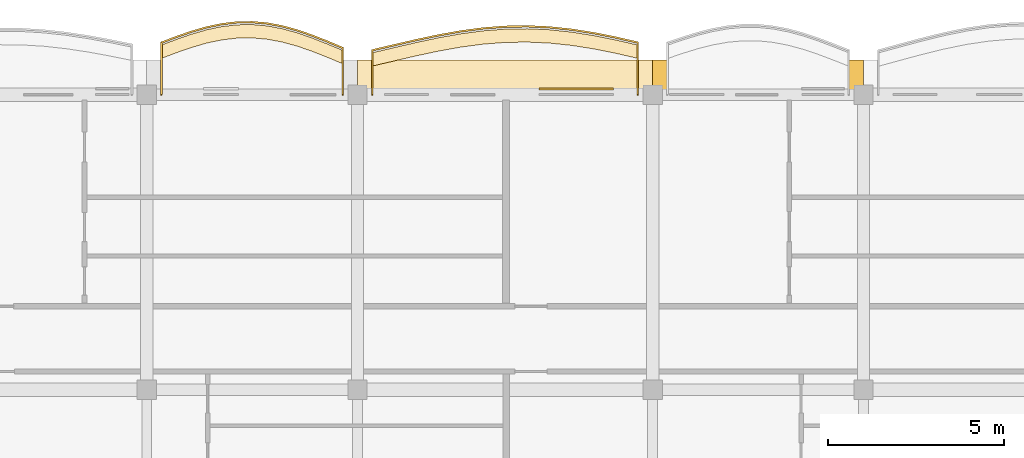
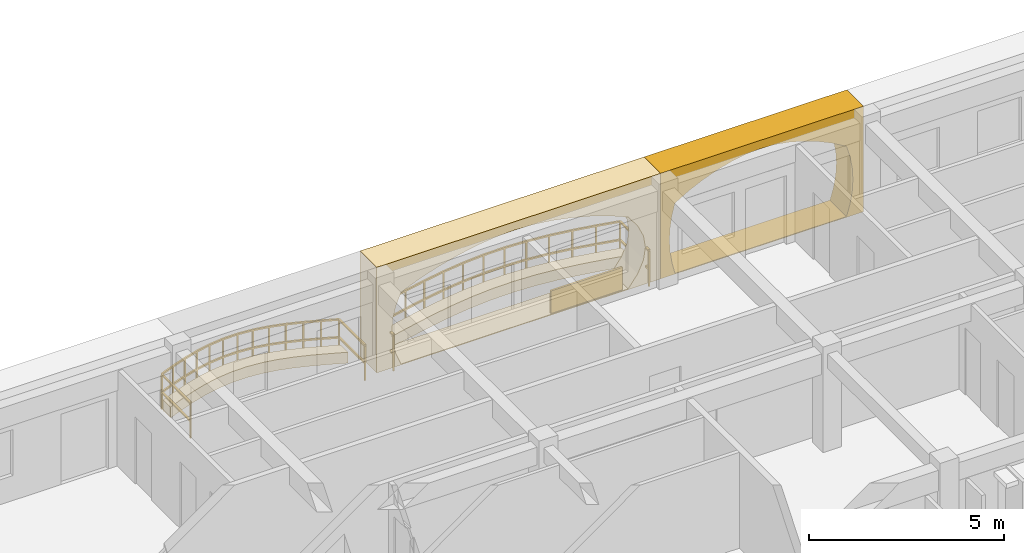
# One storey, part 60 of 68: 5 coverings, 2 railings.
"""IFC4 building model written with IfcOpenShell, lengths in metres."""

import ifcopenshell
import ifcopenshell.guid

model = None  # the IFC model being written
_history = None  # IfcOwnerHistory: only IFC2X3 demands one
_inside = {}  # id of a spatial element -> (the spatial element, [elements in it])
_under = {}  # id of a project, library or spatial element -> (it, [spatial elements below it])
_declared = {}  # id of a project -> (the project, [libraries it declares])
_typed = {}  # id of a type object -> (the type object, [elements of that type])
_made_of = {}  # id of a material, layer set ... -> (it, [elements and type objects made of it])


def new_model(schema):
    """Start an empty IFC model of exactly this schema.

    Asked for "IFC4X3", IfcOpenShell would pick the latest addendum, in which some entities
    have other attributes; the version numbers below select the first issue.
    IFC2X3 requires an IfcOwnerHistory on every rooted entity: one is made here for all.
    """
    global model, _history
    if schema == "IFC4X3":
        model = ifcopenshell.file(schema_version=(4, 3, 0, 0))
    else:
        model = ifcopenshell.file(schema=schema)
    _inside.clear()
    _under.clear()
    _declared.clear()
    _typed.clear()
    _made_of.clear()
    _history = None
    if model.schema == "IFC2X3":
        org = make("IfcOrganization", Name="unknown")
        user = make(
            "IfcPersonAndOrganization",
            ThePerson=make("IfcPerson", FamilyName="unknown"),
            TheOrganization=org,
        )
        app = make(
            "IfcApplication",
            ApplicationDeveloper=org,
            Version="unknown",
            ApplicationFullName="unknown",
            ApplicationIdentifier="unknown",
        )
        _history = make(
            "IfcOwnerHistory",
            OwningUser=user,
            OwningApplication=app,
            ChangeAction="ADDED",
            CreationDate=0,
        )
    return model


def make(cls, **values):
    """One entity of the class cls with the attributes given. An attribute that is None is left unset."""
    return model.create_entity(
        cls, **{name: value for name, value in values.items() if value is not None}
    )


def rooted(cls, **values):
    """An entity with a GlobalId (a new one), such as an element, a storey or a relation."""
    return make(cls, GlobalId=ifcopenshell.guid.new(), OwnerHistory=_history, **values)


def si_unit(unit_type, name, prefix=None):
    """IfcSIUnit, for example si_unit("LENGTHUNIT", "METRE", prefix="MILLI")."""
    return make("IfcSIUnit", UnitType=unit_type, Prefix=prefix, Name=name)


def assignment(units):
    """IfcUnitAssignment: the units of a project."""
    return None if units is None else make("IfcUnitAssignment", Units=units)


def point(xyz):
    """IfcCartesianPoint."""
    return None if xyz is None else make("IfcCartesianPoint", Coordinates=xyz)


def direction(xyz):
    """IfcDirection."""
    return None if xyz is None else make("IfcDirection", DirectionRatios=xyz)


def frame(location, z_axis=None, x_axis=None):
    """IfcAxis2Placement3D, a coordinate frame: its origin and axes. An axis left out is left unset."""
    return make(
        "IfcAxis2Placement3D",
        Location=point(location),
        Axis=direction(z_axis),
        RefDirection=direction(x_axis),
    )


def frame_2d(location, x_axis=None):
    """IfcAxis2Placement2D, a coordinate frame in the plane: its origin and x axis."""
    return make(
        "IfcAxis2Placement2D", Location=point(location), RefDirection=direction(x_axis)
    )


def origin():
    """The frame at (0, 0, 0) with its axes left unset."""
    return frame((0.0, 0.0, 0.0))


def origin_2d():
    """The frame at (0, 0) in the plane with its x axis left unset."""
    return frame_2d((0.0, 0.0))


def place(relative_to, where):
    """IfcLocalPlacement: puts the frame where relative to a parent placement (None: the world)."""
    return make(
        "IfcLocalPlacement", PlacementRelTo=relative_to, RelativePlacement=where
    )


def context(
    kind, dimensions, precision=None, world=None, true_north=None, identifier=None
):
    """IfcGeometricRepresentationContext, for example the 3D "Model" context."""
    return make(
        "IfcGeometricRepresentationContext",
        ContextIdentifier=identifier,
        ContextType=kind,
        CoordinateSpaceDimension=dimensions,
        Precision=precision,
        WorldCoordinateSystem=world,
        TrueNorth=true_north,
    )


def subcontext(parent, identifier, kind, view, scale=None):
    """IfcGeometricRepresentationSubContext, for example "Body" below "Model"."""
    return make(
        "IfcGeometricRepresentationSubContext",
        ContextIdentifier=identifier,
        ContextType=kind,
        ParentContext=parent,
        TargetScale=scale,
        TargetView=view,
    )


def project(units=None, contexts=None):
    """IfcProject with its units and contexts."""
    return rooted(
        "IfcProject",
        Name="project",
        RepresentationContexts=contexts,
        UnitsInContext=assignment(units),
    )


def spatial(cls, under=None, at=None, **own):
    """A site, building, storey or space (cls), placed at a placement, below another one or the project."""
    s = rooted(cls, ObjectPlacement=at, **own)
    if under is not None:
        _under.setdefault(under.id(), (under, []))[1].append(s)
    return s


def polyline(points):
    """IfcPolyline through the points."""
    return make("IfcPolyline", Points=[point(p) for p in points])


def profile(cls, at=None, kind="AREA", **sizes):
    """A parametric profile (cls). Its sizes go by their IFC names, for example OverallWidth=200.0."""
    return make(cls, ProfileType=kind, Position=at, **sizes)


def rectangle(**sizes):
    """IfcRectangleProfileDef."""
    return profile("IfcRectangleProfileDef", **sizes)


def outline(outer, holes=None, kind="AREA"):
    """IfcArbitraryClosedProfileDef: a profile drawn as a closed curve; with holes, ...WithVoids."""
    if holes is None:
        return make("IfcArbitraryClosedProfileDef", ProfileType=kind, OuterCurve=outer)
    return make(
        "IfcArbitraryProfileDefWithVoids",
        ProfileType=kind,
        OuterCurve=outer,
        InnerCurves=holes,
    )


def extrude(swept, where, along, depth):
    """IfcExtrudedAreaSolid: the profile swept, set in the frame where, extruded along a direction by depth."""
    return make(
        "IfcExtrudedAreaSolid",
        SweptArea=swept,
        Position=where,
        ExtrudedDirection=direction(along),
        Depth=depth,
    )


def shape(context_of_items, identifier, shape_type, items):
    """IfcShapeRepresentation: the items that make up one representation, for example the "Body"."""
    return make(
        "IfcShapeRepresentation",
        ContextOfItems=context_of_items,
        RepresentationIdentifier=identifier,
        RepresentationType=shape_type,
        Items=items,
    )


def material(Name=None, Category=None):
    """IfcMaterial."""
    return make("IfcMaterial", Name=Name, Category=Category)


def layer(
    of_material, thickness, ventilated=None, Name=None, Category=None, Priority=None
):
    """IfcMaterialLayer: one layer of a wall or slab, of a material (None: an air gap)."""
    return make(
        "IfcMaterialLayer",
        Material=of_material,
        LayerThickness=thickness,
        IsVentilated=ventilated,
        Name=Name,
        Category=Category,
        Priority=Priority,
    )


def layer_set(layers, Name=None):
    """IfcMaterialLayerSet."""
    return make("IfcMaterialLayerSet", MaterialLayers=layers, LayerSetName=Name)


def made_of(thing, what):
    """Note that an element or type object is made of a material, layer set ...; save() writes the relation."""
    if what is not None:
        _made_of.setdefault(what.id(), (what, []))[1].append(thing)
    return thing


def type_object(cls, material=None, **own):
    """A type object (cls), such as IfcWallType, which elements share."""
    return made_of(rooted(cls, **own), material)


def element(
    cls,
    number,
    at=None,
    inside=None,
    cuts=None,
    type_object=None,
    material=None,
    context=None,
    identifier="Body",
    shape_type=None,
    held_by="IfcProductDefinitionShape",
    body=None,
    shapes=None,
    **own,
):
    """One element of the class cls, such as IfcWall. Its Tag is "e" and its number.

    at: its placement. inside: the storey or other place that contains it. cuts: it is an
    opening in that element (IfcRelVoidsElement). A single representation is given by context,
    identifier, shape_type and body (its items); several are given by shapes. held_by: the class
    of the entity that holds the representations. save() writes the other relations.
    """
    e = rooted(cls, Tag="e%d" % number, ObjectPlacement=at, **own)
    if body is not None:
        shapes = [shape(context, identifier, shape_type, body)]
    if shapes is not None:
        e.Representation = make(held_by, Representations=shapes)
    if inside is not None:
        _inside.setdefault(inside.id(), (inside, []))[1].append(e)
    if cuts is not None:
        rooted(
            "IfcRelVoidsElement", RelatingBuildingElement=cuts, RelatedOpeningElement=e
        )
    if type_object is not None:
        _typed.setdefault(type_object.id(), (type_object, []))[1].append(e)
    return made_of(e, material)


def aggregate(whole, parts):
    """IfcRelAggregates: a whole, such as a stair, and the parts it consists of."""
    return rooted("IfcRelAggregates", RelatingObject=whole, RelatedObjects=parts)


def save(model, path):
    """Write the relations noted so far, then the file.

    IfcRelAggregates (storeys below a building ...), IfcRelContainedInSpatialStructure (elements
    in a storey), IfcRelDefinesByType, IfcRelAssociatesMaterial and IfcRelDeclares: one each for
    every whole, place, type object, material and project.
    """
    for whole, parts in _under.values():
        aggregate(whole, parts)
    for where, things in _inside.values():
        rooted(
            "IfcRelContainedInSpatialStructure",
            RelatedElements=things,
            RelatingStructure=where,
        )
    for kind, things in _typed.values():
        rooted("IfcRelDefinesByType", RelatedObjects=things, RelatingType=kind)
    for what, things in _made_of.values():
        rooted("IfcRelAssociatesMaterial", RelatedObjects=things, RelatingMaterial=what)
    for by, libraries in _declared.values():
        rooted("IfcRelDeclares", RelatingContext=by, RelatedDefinitions=libraries)
    model.write(path)


model = new_model("IFC4")

# Units and contexts
model_context = context("Model", 3, precision=1e-05, world=origin(), true_north=direction((0.0, 1.0)))
body_context = subcontext(model_context, "Body", "Model", "MODEL_VIEW")
ifc_project = project(units=[si_unit("LENGTHUNIT", "METRE"), si_unit("AREAUNIT", "SQUARE_METRE"), si_unit("VOLUMEUNIT", "CUBIC_METRE"), si_unit("PLANEANGLEUNIT", "RADIAN"), si_unit("MASSUNIT", "GRAM", prefix="KILO"), si_unit("THERMODYNAMICTEMPERATUREUNIT", "KELVIN")], contexts=[model_context])

# Site, building, storey
site_placement = place(None, origin())
site = spatial("IfcSite", under=ifc_project, at=site_placement, CompositionType="ELEMENT")
building_placement = place(site_placement, origin())
building = spatial("IfcBuilding", under=site, at=building_placement, Name="Thalorik Housing Commons", CompositionType="ELEMENT")
storey_placement = place(building_placement, frame((0.0, 0.0, 24.60009765625)))
storey = spatial("IfcBuildingStorey", under=building, at=storey_placement, Name="L07", CompositionType="ELEMENT", Elevation=24.60009765625)

# Coverings
ifc_material_1 = material(Name="Cobalt blue glazed ceramic facade tile panel", Category="masonry")
ifc_layer_1 = layer(ifc_material_1, 0.06005859375, Name="Cobalt blue glazed ceramic facade tile panel", Category="masonry")
ifc_layer_set_1 = layer_set([ifc_layer_1], Name="Cobalt blue glazed ceramic facade tile panel")
covering_type_1 = type_object("IfcCoveringType", Name="ARC-CLD-BLU-60", PredefinedType="CLADDING", material=ifc_layer_set_1)
covering_1_placement = place(storey_placement, frame((121.419921875, 123.764892578125, 0.0498046875), z_axis=(0.0, 0.0, 1.0), x_axis=(-1.0, 0.0, 0.0)))
element("IfcCovering", 1, at=covering_1_placement, inside=storey, type_object=covering_type_1, Name="L07 De Stijl Recessed Window Spandrel 2568", PredefinedType="CLADDING", context=body_context, shape_type="SweptSolid", body=[
    extrude(rectangle(XDim=2.1201171875, YDim=0.06005859375, at=origin_2d()), origin(), (0.0, 0.0, 1.0), 0.699951171875),
])
ifc_material_2 = material(Name="Precast concrete C40/50", Category="concrete")
ifc_layer_2 = layer(ifc_material_2, 0.85009765625, Name="Precast concrete C40/50", Category="concrete")
ifc_layer_set_2 = layer_set([ifc_layer_2], Name="Precast concrete C40/50")
covering_type_2 = type_object("IfcCoveringType", Name="ARC-CLD-CUSH-850", PredefinedType="CLADDING", material=ifc_layer_set_2)
covering_2_placement = place(storey_placement, frame((126.60009765625, 124.155029296875, 0.0), z_axis=(0.0, 0.0, 1.0), x_axis=(-1.0, 0.0, 0.0)))
element("IfcCovering", 2, at=covering_2_placement, inside=storey, type_object=covering_type_2, Name="L07 White Precast Curved Cushion Bay Frame 2565", PredefinedType="CLADDING", context=body_context, shape_type="SweptSolid", body=[
    extrude(outline(polyline([(-3.0, 0.0), (3.0, 0.0), (3.0, 3.300048828125), (-3.0, 3.300048828125), (-3.0, 0.0)]), holes=[polyline([(2.575439453125, 0.02490234375), (2.6650390625, 0.390869140625), (2.71875, 0.756591796875), (2.73681640625, 1.12255859375), (2.71875, 1.48828125), (2.6650390625, 1.854248046875), (2.575439453125, 2.219970703125), (2.152587890625, 2.469482421875), (1.7294921875, 2.66552734375), (1.306640625, 2.824462890625), (0.8837890625, 2.9423828125), (0.460693359375, 3.015380859375), (0.037841796875, 3.0400390625), (-0.385009765625, 3.015380859375), (-0.807861328125, 2.9423828125), (-1.23095703125, 2.824462890625), (-1.65380859375, 2.66552734375), (-2.07666015625, 2.469482421875), (-2.49951171875, 2.219970703125), (-2.605224609375, 1.854248046875), (-2.668701171875, 1.48828125), (-2.689697265625, 1.12255859375), (-2.668701171875, 0.756591796875), (-2.605224609375, 0.390869140625), (-2.49951171875, 0.02490234375), (2.575439453125, 0.02490234375)])]), frame((0.0, 0.425048828125, 0.0), z_axis=(0.0, -1.0, 0.0), x_axis=(1.0, 0.0, 0.0)), (0.0, 0.0, 1.0), 0.85009765625),
])
covering_3_placement = place(storey_placement, frame((119.39990234375, 124.155029296875, 0.0), z_axis=(0.0, 0.0, 1.0), x_axis=(-1.0, 0.0, 0.0)))
element("IfcCovering", 3, at=covering_3_placement, inside=storey, type_object=covering_type_2, Name="L07 White Precast Curved Cushion Bay Frame 2567", PredefinedType="CLADDING", context=body_context, shape_type="SweptSolid", body=[
    extrude(outline(polyline([(-4.199951171875, 0.0), (4.199951171875, 0.0), (4.199951171875, 3.300048828125), (-4.199951171875, 3.300048828125), (-4.199951171875, 0.0)]), holes=[polyline([(3.47998046875, 0.02490234375), (3.632080078125, 0.399169921875), (3.72314453125, 0.773193359375), (3.753662109375, 1.1474609375), (3.72314453125, 1.521728515625), (3.632080078125, 1.895751953125), (3.47998046875, 2.27001953125), (2.919921875, 2.50439453125), (2.360107421875, 2.6884765625), (1.800048828125, 2.837646484375), (1.239990234375, 2.948486328125), (0.679931640625, 3.016845703125), (0.1201171875, 3.0400390625), (-0.43994140625, 3.016845703125), (-1.0, 2.948486328125), (-1.56005859375, 2.837646484375), (-2.1201171875, 2.6884765625), (-2.679931640625, 2.50439453125), (-3.239990234375, 2.27001953125), (-3.523193359375, 1.895751953125), (-3.693359375, 1.521728515625), (-3.75, 1.1474609375), (-3.693359375, 0.773193359375), (-3.523193359375, 0.399169921875), (-3.239990234375, 0.02490234375), (3.47998046875, 0.02490234375)])]), frame((0.0, 0.425048828125, 0.0), z_axis=(0.0, -1.0, 0.0), x_axis=(1.0, 0.0, 0.0)), (0.0, 0.0, 1.0), 0.85009765625),
])
ifc_material_3 = material(Name="Planted vegetated substrate and terracotta trough", Category="masonry")
ifc_layer_3 = layer(ifc_material_3, 0.340087890625, Name="Planted vegetated substrate and terracotta trough", Category="masonry")
ifc_layer_set_3 = layer_set([ifc_layer_3], Name="Planted vegetated substrate and terracotta trough")
covering_type_3 = type_object("IfcCoveringType", Name="ARC-COV-PLANTER", PredefinedType="USERDEFINED", material=ifc_layer_set_3)
covering_4_placement = place(storey_placement, origin())
element("IfcCovering", 4, at=covering_4_placement, inside=storey, type_object=covering_type_3, Name="L07 Balcony Slab-Edge Planted Trough 5506", ObjectType="PLANTER", PredefinedType="USERDEFINED", context=body_context, shape_type="SweptSolid", body=[
    extrude(outline(polyline([(114.780029296875, 124.859375), (114.35009765625, 125.039306640625), (113.919921875, 125.209228515625), (113.489990234375, 125.35791015625), (113.06005859375, 125.4765625), (112.6298828125, 125.55712890625), (112.199951171875, 125.59521484375), (111.77001953125, 125.58837890625), (111.340087890625, 125.5380859375), (110.909912109375, 125.44775390625), (110.47998046875, 125.323974609375), (110.050048828125, 125.175048828125), (109.6201171875, 125.01123046875), (109.6201171875, 124.631103515625), (110.050048828125, 124.794921875), (110.47998046875, 124.94384765625), (110.909912109375, 125.06787109375), (111.340087890625, 125.158203125), (111.77001953125, 125.20849609375), (112.199951171875, 125.215087890625), (112.6298828125, 125.177001953125), (113.06005859375, 125.096435546875), (113.489990234375, 124.97802734375), (113.919921875, 124.8291015625), (114.35009765625, 124.6591796875), (114.780029296875, 124.479248046875), (114.780029296875, 124.859375)])), origin(), (0.0, 0.0, 1.0), 0.33984375),
])
covering_5_placement = place(storey_placement, origin())
element("IfcCovering", 5, at=covering_5_placement, inside=storey, type_object=covering_type_3, Name="L07 Balcony Slab-Edge Planted Trough 5507", ObjectType="PLANTER", PredefinedType="USERDEFINED", context=body_context, shape_type="SweptSolid", body=[
    extrude(outline(polyline([(123.179931640625, 125.01220703125), (122.550048828125, 125.15625), (121.919921875, 125.2822265625), (121.2900390625, 125.381591796875), (120.659912109375, 125.447509765625), (120.030029296875, 125.476318359375), (119.39990234375, 125.465576171875), (118.77001953125, 125.41650390625), (118.139892578125, 125.332763671875), (117.510009765625, 125.22021484375), (116.8798828125, 125.08642578125), (116.25, 124.940673828125), (115.6201171875, 124.79296875), (115.6201171875, 124.4130859375), (116.25, 124.560791015625), (116.8798828125, 124.706298828125), (117.510009765625, 124.840087890625), (118.139892578125, 124.95263671875), (118.77001953125, 125.03662109375), (119.39990234375, 125.08544921875), (120.030029296875, 125.09619140625), (120.659912109375, 125.067626953125), (121.2900390625, 125.001708984375), (121.919921875, 124.90234375), (122.550048828125, 124.7763671875), (123.179931640625, 124.632080078125), (123.179931640625, 125.01220703125)])), origin(), (0.0, 0.0, 1.0), 0.33984375),
])

# Railings
ifc_material_4 = material(Name="Steel S355", Category="steel")
railing_type_1 = type_object("IfcRailingType", Name="ARC-RL-BAL-112", PredefinedType="BALUSTRADE", material=ifc_material_4)
railing_1_placement = place(storey_placement, frame((114.780029296875, 123.60009765625, 0.0)))
element("IfcRailing", 6, at=railing_1_placement, inside=storey, type_object=railing_type_1, Name="L07 Cushion Balcony Guardrail 190", PredefinedType="BALUSTRADE", context=body_context, shape_type="SweptSolid", body=[
    extrude(rectangle(XDim=0.050048828125, YDim=0.050048828125, at=origin_2d()), frame((0.0, 0.0, 1.09521484375), z_axis=(0.0, 1.0, 0.0), x_axis=(-1.0, 0.0, 0.0)), (0.0, 0.0, 1.0), 1.3291015625),
    extrude(rectangle(XDim=0.050048828125, YDim=0.050048828125, at=origin_2d()), frame((0.0, 0.0, 0.53515625), z_axis=(0.0, 1.0, 0.0), x_axis=(-1.0, 0.0, 0.0)), (0.0, 0.0, 1.0), 1.3291015625),
    extrude(rectangle(XDim=0.050048828125, YDim=0.050048828125, at=origin_2d()), frame((0.0, 1.3291015625, 1.09521484375), z_axis=(-0.922284734459, 0.386511149365, 0.0), x_axis=(-0.386511149365, -0.922284734459, 0.0)), (0.0, 0.0, 1.0), 0.466064453125),
    extrude(rectangle(XDim=0.050048828125, YDim=0.050048828125, at=origin_2d()), frame((0.0, 1.3291015625, 0.53515625), z_axis=(-0.922284734459, 0.386511149365, 0.0), x_axis=(-0.386511149365, -0.922284734459, 0.0)), (0.0, 0.0, 1.0), 0.466064453125),
    extrude(rectangle(XDim=0.050048828125, YDim=0.050048828125, at=origin_2d()), frame((-0.429931640625, 1.50927734375, 1.09521484375), z_axis=(-0.930069804199, 0.367382851148, 0.0), x_axis=(-0.367382851148, -0.930069804199, 0.0)), (0.0, 0.0, 1.0), 0.46240234375),
    extrude(rectangle(XDim=0.050048828125, YDim=0.050048828125, at=origin_2d()), frame((-0.429931640625, 1.50927734375, 0.53515625), z_axis=(-0.930069804199, 0.367382851148, 0.0), x_axis=(-0.367382851148, -0.930069804199, 0.0)), (0.0, 0.0, 1.0), 0.46240234375),
    extrude(rectangle(XDim=0.050048828125, YDim=0.050048828125, at=origin_2d()), frame((-0.860107421875, 1.67919921875, 1.09521484375), z_axis=(-0.945081740918, 0.326834060317, 0.0), x_axis=(-0.326834060317, -0.945081740918, 0.0)), (0.0, 0.0, 1.0), 0.454833984375),
    extrude(rectangle(XDim=0.050048828125, YDim=0.050048828125, at=origin_2d()), frame((-0.860107421875, 1.67919921875, 0.53515625), z_axis=(-0.945081740918, 0.326834060317, 0.0), x_axis=(-0.326834060317, -0.945081740918, 0.0)), (0.0, 0.0, 1.0), 0.454833984375),
    extrude(rectangle(XDim=0.050048828125, YDim=0.050048828125, at=origin_2d()), frame((-1.2900390625, 1.827880859375, 1.09521484375), z_axis=(-0.964103843637, 0.265525476527, 0.0), x_axis=(-0.265525476527, -0.964103843637, 0.0)), (0.0, 0.0, 1.0), 0.446044921875),
    extrude(rectangle(XDim=0.050048828125, YDim=0.050048828125, at=origin_2d()), frame((-1.2900390625, 1.827880859375, 0.53515625), z_axis=(-0.964103843637, 0.265525476527, 0.0), x_axis=(-0.265525476527, -0.964103843637, 0.0)), (0.0, 0.0, 1.0), 0.446044921875),
    extrude(rectangle(XDim=0.050048828125, YDim=0.050048828125, at=origin_2d()), frame((-1.719970703125, 1.9462890625, 1.09521484375), z_axis=(-0.982808984292, 0.184625297276, 0.0), x_axis=(-0.184625297276, -0.982808984292, 0.0)), (0.0, 0.0, 1.0), 0.437744140625),
    extrude(rectangle(XDim=0.050048828125, YDim=0.050048828125, at=origin_2d()), frame((-1.719970703125, 1.9462890625, 0.53515625), z_axis=(-0.982808984292, 0.184625297276, 0.0), x_axis=(-0.184625297276, -0.982808984292, 0.0)), (0.0, 0.0, 1.0), 0.437744140625),
    extrude(rectangle(XDim=0.050048828125, YDim=0.050048828125, at=origin_2d()), frame((-2.150146484375, 2.027099609375, 1.09521484375), z_axis=(-0.996148763572, 0.087679192705, 0.0), x_axis=(-0.087679192705, -0.996148763572, 0.0)), (0.0, 0.0, 1.0), 0.431640625),
    extrude(rectangle(XDim=0.050048828125, YDim=0.050048828125, at=origin_2d()), frame((-2.150146484375, 2.027099609375, 0.53515625), z_axis=(-0.996148763572, 0.087679192705, 0.0), x_axis=(-0.087679192705, -0.996148763572, 0.0)), (0.0, 0.0, 1.0), 0.431640625),
    extrude(rectangle(XDim=0.050048828125, YDim=0.050048828125, at=origin_2d()), frame((-2.580078125, 2.06494140625, 1.09521484375), z_axis=(-0.999882482577, -0.015330395815, 0.0), x_axis=(0.015330395815, -0.999882482577, 0.0)), (0.0, 0.0, 1.0), 0.429931640625),
    extrude(rectangle(XDim=0.050048828125, YDim=0.050048828125, at=origin_2d()), frame((-2.580078125, 2.06494140625, 0.53515625), z_axis=(-0.999882482577, -0.015330395815, 0.0), x_axis=(0.015330395815, -0.999882482577, 0.0)), (0.0, 0.0, 1.0), 0.429931640625),
    extrude(rectangle(XDim=0.050048828125, YDim=0.050048828125, at=origin_2d()), frame((-3.010009765625, 2.058349609375, 1.09521484375), z_axis=(-0.99322738707, -0.116186735796, 0.0), x_axis=(0.116186735796, -0.99322738707, 0.0)), (0.0, 0.0, 1.0), 0.432861328125),
    extrude(rectangle(XDim=0.050048828125, YDim=0.050048828125, at=origin_2d()), frame((-3.010009765625, 2.058349609375, 0.53515625), z_axis=(-0.99322738707, -0.116186735796, 0.0), x_axis=(0.116186735796, -0.99322738707, 0.0)), (0.0, 0.0, 1.0), 0.432861328125),
    extrude(rectangle(XDim=0.050048828125, YDim=0.050048828125, at=origin_2d()), frame((-3.43994140625, 2.008056640625, 1.09521484375), z_axis=(-0.978655730791, -0.205506595002, 0.0), x_axis=(0.205506595002, -0.978655730791, 0.0)), (0.0, 0.0, 1.0), 0.439453125),
    extrude(rectangle(XDim=0.050048828125, YDim=0.050048828125, at=origin_2d()), frame((-3.43994140625, 2.008056640625, 0.53515625), z_axis=(-0.978655730791, -0.205506595002, 0.0), x_axis=(0.205506595002, -0.978655730791, 0.0)), (0.0, 0.0, 1.0), 0.439453125),
    extrude(rectangle(XDim=0.050048828125, YDim=0.050048828125, at=origin_2d()), frame((-3.8701171875, 1.917724609375, 1.09521484375), z_axis=(-0.960820796949, -0.277170337791, 0.0), x_axis=(0.277170337791, -0.960820796949, 0.0)), (0.0, 0.0, 1.0), 0.447509765625),
    extrude(rectangle(XDim=0.050048828125, YDim=0.050048828125, at=origin_2d()), frame((-3.8701171875, 1.917724609375, 0.53515625), z_axis=(-0.960820796949, -0.277170337791, 0.0), x_axis=(0.277170337791, -0.960820796949, 0.0)), (0.0, 0.0, 1.0), 0.447509765625),
    extrude(rectangle(XDim=0.050048828125, YDim=0.050048828125, at=origin_2d()), frame((-4.300048828125, 1.793701171875, 1.09521484375), z_axis=(-0.945081740918, -0.326834060317, 0.0), x_axis=(0.326834060317, -0.945081740918, 0.0)), (0.0, 0.0, 1.0), 0.454833984375),
    extrude(rectangle(XDim=0.050048828125, YDim=0.050048828125, at=origin_2d()), frame((-4.300048828125, 1.793701171875, 0.53515625), z_axis=(-0.945081740918, -0.326834060317, 0.0), x_axis=(0.326834060317, -0.945081740918, 0.0)), (0.0, 0.0, 1.0), 0.454833984375),
    extrude(rectangle(XDim=0.050048828125, YDim=0.050048828125, at=origin_2d()), frame((-4.72998046875, 1.64501953125, 1.09521484375), z_axis=(-0.934462513902, -0.35606152574, 0.0), x_axis=(0.35606152574, -0.934462513902, 0.0)), (0.0, 0.0, 1.0), 0.460205078125),
    extrude(rectangle(XDim=0.050048828125, YDim=0.050048828125, at=origin_2d()), frame((-4.72998046875, 1.64501953125, 0.53515625), z_axis=(-0.934462513902, -0.35606152574, 0.0), x_axis=(0.35606152574, -0.934462513902, 0.0)), (0.0, 0.0, 1.0), 0.460205078125),
    extrude(rectangle(XDim=0.050048828125, YDim=0.050048828125, at=origin_2d()), frame((-5.159912109375, 1.481201171875, 1.09521484375), z_axis=(0.0, -1.0, 0.0), x_axis=(1.0, 0.0, 0.0)), (0.0, 0.0, 1.0), 1.481201171875),
    extrude(rectangle(XDim=0.050048828125, YDim=0.050048828125, at=origin_2d()), frame((-5.159912109375, 1.481201171875, 0.53515625), z_axis=(0.0, -1.0, 0.0), x_axis=(1.0, 0.0, 0.0)), (0.0, 0.0, 1.0), 1.481201171875),
    extrude(rectangle(XDim=0.0419921875, YDim=0.0419921875, at=origin_2d()), origin(), (0.0, 0.0, 1.0), 1.070068359375),
    extrude(rectangle(XDim=0.0419921875, YDim=0.0419921875, at=origin_2d()), frame((0.0, 1.3291015625, 0.0)), (0.0, 0.0, 1.0), 1.070068359375),
    extrude(rectangle(XDim=0.0419921875, YDim=0.0419921875, at=origin_2d()), frame((-0.429931640625, 1.50927734375, 0.0)), (0.0, 0.0, 1.0), 1.070068359375),
    extrude(rectangle(XDim=0.0419921875, YDim=0.0419921875, at=origin_2d()), frame((-0.860107421875, 1.67919921875, 0.0)), (0.0, 0.0, 1.0), 1.070068359375),
    extrude(rectangle(XDim=0.0419921875, YDim=0.0419921875, at=origin_2d()), frame((-1.2900390625, 1.827880859375, 0.0)), (0.0, 0.0, 1.0), 1.070068359375),
    extrude(rectangle(XDim=0.0419921875, YDim=0.0419921875, at=origin_2d()), frame((-1.719970703125, 1.9462890625, 0.0)), (0.0, 0.0, 1.0), 1.070068359375),
    extrude(rectangle(XDim=0.0419921875, YDim=0.0419921875, at=origin_2d()), frame((-2.150146484375, 2.027099609375, 0.0)), (0.0, 0.0, 1.0), 1.070068359375),
    extrude(rectangle(XDim=0.0419921875, YDim=0.0419921875, at=origin_2d()), frame((-2.580078125, 2.06494140625, 0.0)), (0.0, 0.0, 1.0), 1.070068359375),
    extrude(rectangle(XDim=0.0419921875, YDim=0.0419921875, at=origin_2d()), frame((-3.010009765625, 2.058349609375, 0.0)), (0.0, 0.0, 1.0), 1.070068359375),
    extrude(rectangle(XDim=0.0419921875, YDim=0.0419921875, at=origin_2d()), frame((-3.43994140625, 2.008056640625, 0.0)), (0.0, 0.0, 1.0), 1.070068359375),
    extrude(rectangle(XDim=0.0419921875, YDim=0.0419921875, at=origin_2d()), frame((-3.8701171875, 1.917724609375, 0.0)), (0.0, 0.0, 1.0), 1.070068359375),
    extrude(rectangle(XDim=0.0419921875, YDim=0.0419921875, at=origin_2d()), frame((-4.300048828125, 1.793701171875, 0.0)), (0.0, 0.0, 1.0), 1.070068359375),
    extrude(rectangle(XDim=0.0419921875, YDim=0.0419921875, at=origin_2d()), frame((-4.72998046875, 1.64501953125, 0.0)), (0.0, 0.0, 1.0), 1.070068359375),
    extrude(rectangle(XDim=0.0419921875, YDim=0.0419921875, at=origin_2d()), frame((-5.159912109375, 1.481201171875, 0.0)), (0.0, 0.0, 1.0), 1.070068359375),
    extrude(rectangle(XDim=0.0419921875, YDim=0.0419921875, at=origin_2d()), frame((-5.159912109375, 0.0, 0.0)), (0.0, 0.0, 1.0), 1.070068359375),
])
railing_type_2 = type_object("IfcRailingType", Name="ARC-RL-BAL-115", PredefinedType="BALUSTRADE", material=ifc_material_4)
railing_2_placement = place(storey_placement, frame((123.179931640625, 123.60009765625, 0.0)))
element("IfcRailing", 7, at=railing_2_placement, inside=storey, type_object=railing_type_2, Name="L07 Cushion Balcony Guardrail 191", PredefinedType="BALUSTRADE", context=body_context, shape_type="SweptSolid", body=[
    extrude(rectangle(XDim=0.050048828125, YDim=0.050048828125, at=origin_2d()), frame((0.0, 0.0, 1.125), z_axis=(0.0, 1.0, 0.0), x_axis=(-1.0, 0.0, 0.0)), (0.0, 0.0, 1.0), 1.482177734375),
    extrude(rectangle(XDim=0.050048828125, YDim=0.050048828125, at=origin_2d()), frame((0.0, 0.0, 0.5498046875), z_axis=(0.0, 1.0, 0.0), x_axis=(-1.0, 0.0, 0.0)), (0.0, 0.0, 1.0), 1.482177734375),
    extrude(rectangle(XDim=0.050048828125, YDim=0.050048828125, at=origin_2d()), frame((0.0, 1.482177734375, 1.125), z_axis=(-0.974835050868, 0.222927395354, 0.0), x_axis=(-0.222927395354, -0.974835050868, 0.0)), (0.0, 0.0, 1.0), 0.646240234375),
    extrude(rectangle(XDim=0.050048828125, YDim=0.050048828125, at=origin_2d()), frame((0.0, 1.482177734375, 0.5498046875), z_axis=(-0.974835050868, 0.222927395354, 0.0), x_axis=(-0.222927395354, -0.974835050868, 0.0)), (0.0, 0.0, 1.0), 0.646240234375),
    extrude(rectangle(XDim=0.050048828125, YDim=0.050048828125, at=origin_2d()), frame((-0.6298828125, 1.626220703125, 1.125), z_axis=(-0.980595285601, 0.196043071434, 0.0), x_axis=(-0.196043071434, -0.980595285601, 0.0)), (0.0, 0.0, 1.0), 0.642578125),
    extrude(rectangle(XDim=0.050048828125, YDim=0.050048828125, at=origin_2d()), frame((-0.6298828125, 1.626220703125, 0.5498046875), z_axis=(-0.980595285601, 0.196043071434, 0.0), x_axis=(-0.196043071434, -0.980595285601, 0.0)), (0.0, 0.0, 1.0), 0.642578125),
    extrude(rectangle(XDim=0.050048828125, YDim=0.050048828125, at=origin_2d()), frame((-1.260009765625, 1.752197265625, 1.125), z_axis=(-0.987784685763, 0.155824948491, 0.0), x_axis=(-0.155824948491, -0.987784685763, 0.0)), (0.0, 0.0, 1.0), 0.6376953125),
    extrude(rectangle(XDim=0.050048828125, YDim=0.050048828125, at=origin_2d()), frame((-1.260009765625, 1.752197265625, 0.5498046875), z_axis=(-0.987784685763, 0.155824948491, 0.0), x_axis=(-0.155824948491, -0.987784685763, 0.0)), (0.0, 0.0, 1.0), 0.6376953125),
    extrude(rectangle(XDim=0.050048828125, YDim=0.050048828125, at=origin_2d()), frame((-1.889892578125, 1.8515625, 1.125), z_axis=(-0.994572812937, 0.104042874658, 0.0), x_axis=(-0.104042874658, -0.994572812937, 0.0)), (0.0, 0.0, 1.0), 0.633544921875),
    extrude(rectangle(XDim=0.050048828125, YDim=0.050048828125, at=origin_2d()), frame((-1.889892578125, 1.8515625, 0.5498046875), z_axis=(-0.994572812937, 0.104042874658, 0.0), x_axis=(-0.104042874658, -0.994572812937, 0.0)), (0.0, 0.0, 1.0), 0.633544921875),
    extrude(rectangle(XDim=0.050048828125, YDim=0.050048828125, at=origin_2d()), frame((-2.52001953125, 1.91748046875, 1.125), z_axis=(-0.998973324742, 0.04530227868, 0.0), x_axis=(-0.04530227868, -0.998973324742, 0.0)), (0.0, 0.0, 1.0), 0.630615234375),
    extrude(rectangle(XDim=0.050048828125, YDim=0.050048828125, at=origin_2d()), frame((-2.52001953125, 1.91748046875, 0.5498046875), z_axis=(-0.998973324742, 0.04530227868, 0.0), x_axis=(-0.04530227868, -0.998973324742, 0.0)), (0.0, 0.0, 1.0), 0.630615234375),
    extrude(rectangle(XDim=0.050048828125, YDim=0.050048828125, at=origin_2d()), frame((-3.14990234375, 1.946044921875, 1.125), z_axis=(-0.999854720379, -0.01704517927, 0.0), x_axis=(0.01704517927, -0.999854720379, 0.0)), (0.0, 0.0, 1.0), 0.630126953125),
    extrude(rectangle(XDim=0.050048828125, YDim=0.050048828125, at=origin_2d()), frame((-3.14990234375, 1.946044921875, 0.5498046875), z_axis=(-0.999854720379, -0.01704517927, 0.0), x_axis=(0.01704517927, -0.999854720379, 0.0)), (0.0, 0.0, 1.0), 0.630126953125),
    extrude(rectangle(XDim=0.050048828125, YDim=0.050048828125, at=origin_2d()), frame((-3.780029296875, 1.935302734375, 1.125), z_axis=(-0.997008847092, -0.077287507527, 0.0), x_axis=(0.077287507527, -0.997008847092, 0.0)), (0.0, 0.0, 1.0), 0.6318359375),
    extrude(rectangle(XDim=0.050048828125, YDim=0.050048828125, at=origin_2d()), frame((-3.780029296875, 1.935302734375, 0.5498046875), z_axis=(-0.997008847092, -0.077287507527, 0.0), x_axis=(0.077287507527, -0.997008847092, 0.0)), (0.0, 0.0, 1.0), 0.6318359375),
    extrude(rectangle(XDim=0.050048828125, YDim=0.050048828125, at=origin_2d()), frame((-4.409912109375, 1.886474609375, 1.125), z_axis=(-0.991234607713, -0.132113407615, 0.0), x_axis=(0.132113407615, -0.991234607713, 0.0)), (0.0, 0.0, 1.0), 0.6357421875),
    extrude(rectangle(XDim=0.050048828125, YDim=0.050048828125, at=origin_2d()), frame((-4.409912109375, 1.886474609375, 0.5498046875), z_axis=(-0.991234607713, -0.132113407615, 0.0), x_axis=(0.132113407615, -0.991234607713, 0.0)), (0.0, 0.0, 1.0), 0.6357421875),
    extrude(rectangle(XDim=0.050048828125, YDim=0.050048828125, at=origin_2d()), frame((-5.0400390625, 1.802490234375, 1.125), z_axis=(-0.984408704388, -0.175896284001, 0.0), x_axis=(0.175896284001, -0.984408704388, 0.0)), (0.0, 0.0, 1.0), 0.639892578125),
    extrude(rectangle(XDim=0.050048828125, YDim=0.050048828125, at=origin_2d()), frame((-5.0400390625, 1.802490234375, 0.5498046875), z_axis=(-0.984408704388, -0.175896284001, 0.0), x_axis=(0.175896284001, -0.984408704388, 0.0)), (0.0, 0.0, 1.0), 0.639892578125),
    extrude(rectangle(XDim=0.050048828125, YDim=0.050048828125, at=origin_2d()), frame((-5.669921875, 1.68994140625, 1.125), z_axis=(-0.978271412584, -0.207328346642, 0.0), x_axis=(0.207328346642, -0.978271412584, 0.0)), (0.0, 0.0, 1.0), 0.64404296875),
    extrude(rectangle(XDim=0.050048828125, YDim=0.050048828125, at=origin_2d()), frame((-5.669921875, 1.68994140625, 0.5498046875), z_axis=(-0.978271412584, -0.207328346642, 0.0), x_axis=(0.207328346642, -0.978271412584, 0.0)), (0.0, 0.0, 1.0), 0.64404296875),
    extrude(rectangle(XDim=0.050048828125, YDim=0.050048828125, at=origin_2d()), frame((-6.300048828125, 1.556396484375, 1.125), z_axis=(-0.974257371858, -0.225438624418, 0.0), x_axis=(0.225438624418, -0.974257371858, 0.0)), (0.0, 0.0, 1.0), 0.646484375),
    extrude(rectangle(XDim=0.050048828125, YDim=0.050048828125, at=origin_2d()), frame((-6.300048828125, 1.556396484375, 0.5498046875), z_axis=(-0.974257371858, -0.225438624418, 0.0), x_axis=(0.225438624418, -0.974257371858, 0.0)), (0.0, 0.0, 1.0), 0.646484375),
    extrude(rectangle(XDim=0.050048828125, YDim=0.050048828125, at=origin_2d()), frame((-6.929931640625, 1.41064453125, 1.125), z_axis=(-0.973590104625, -0.228303105929, 0.0), x_axis=(0.228303105929, -0.973590104625, 0.0)), (0.0, 0.0, 1.0), 0.64697265625),
    extrude(rectangle(XDim=0.050048828125, YDim=0.050048828125, at=origin_2d()), frame((-6.929931640625, 1.41064453125, 0.5498046875), z_axis=(-0.973590104625, -0.228303105929, 0.0), x_axis=(0.228303105929, -0.973590104625, 0.0)), (0.0, 0.0, 1.0), 0.64697265625),
    extrude(rectangle(XDim=0.050048828125, YDim=0.050048828125, at=origin_2d()), frame((-7.559814453125, 1.262939453125, 1.125), z_axis=(0.0, -1.0, 0.0), x_axis=(1.0, 0.0, 0.0)), (0.0, 0.0, 1.0), 1.262939453125),
    extrude(rectangle(XDim=0.050048828125, YDim=0.050048828125, at=origin_2d()), frame((-7.559814453125, 1.262939453125, 0.5498046875), z_axis=(0.0, -1.0, 0.0), x_axis=(1.0, 0.0, 0.0)), (0.0, 0.0, 1.0), 1.262939453125),
    extrude(rectangle(XDim=0.0419921875, YDim=0.0419921875, at=origin_2d()), origin(), (0.0, 0.0, 1.0), 1.099853515625),
    extrude(rectangle(XDim=0.0419921875, YDim=0.0419921875, at=origin_2d()), frame((0.0, 1.482177734375, 0.0)), (0.0, 0.0, 1.0), 1.099853515625),
    extrude(rectangle(XDim=0.0419921875, YDim=0.0419921875, at=origin_2d()), frame((-0.6298828125, 1.626220703125, 0.0)), (0.0, 0.0, 1.0), 1.099853515625),
    extrude(rectangle(XDim=0.0419921875, YDim=0.0419921875, at=origin_2d()), frame((-1.260009765625, 1.752197265625, 0.0)), (0.0, 0.0, 1.0), 1.099853515625),
    extrude(rectangle(XDim=0.0419921875, YDim=0.0419921875, at=origin_2d()), frame((-1.889892578125, 1.8515625, 0.0)), (0.0, 0.0, 1.0), 1.099853515625),
    extrude(rectangle(XDim=0.0419921875, YDim=0.0419921875, at=origin_2d()), frame((-2.52001953125, 1.91748046875, 0.0)), (0.0, 0.0, 1.0), 1.099853515625),
    extrude(rectangle(XDim=0.0419921875, YDim=0.0419921875, at=origin_2d()), frame((-3.14990234375, 1.946044921875, 0.0)), (0.0, 0.0, 1.0), 1.099853515625),
    extrude(rectangle(XDim=0.0419921875, YDim=0.0419921875, at=origin_2d()), frame((-3.780029296875, 1.935302734375, 0.0)), (0.0, 0.0, 1.0), 1.099853515625),
    extrude(rectangle(XDim=0.0419921875, YDim=0.0419921875, at=origin_2d()), frame((-4.409912109375, 1.886474609375, 0.0)), (0.0, 0.0, 1.0), 1.099853515625),
    extrude(rectangle(XDim=0.0419921875, YDim=0.0419921875, at=origin_2d()), frame((-5.0400390625, 1.802490234375, 0.0)), (0.0, 0.0, 1.0), 1.099853515625),
    extrude(rectangle(XDim=0.0419921875, YDim=0.0419921875, at=origin_2d()), frame((-5.669921875, 1.68994140625, 0.0)), (0.0, 0.0, 1.0), 1.099853515625),
    extrude(rectangle(XDim=0.0419921875, YDim=0.0419921875, at=origin_2d()), frame((-6.300048828125, 1.556396484375, 0.0)), (0.0, 0.0, 1.0), 1.099853515625),
    extrude(rectangle(XDim=0.0419921875, YDim=0.0419921875, at=origin_2d()), frame((-6.929931640625, 1.41064453125, 0.0)), (0.0, 0.0, 1.0), 1.099853515625),
    extrude(rectangle(XDim=0.0419921875, YDim=0.0419921875, at=origin_2d()), frame((-7.559814453125, 1.262939453125, 0.0)), (0.0, 0.0, 1.0), 1.099853515625),
    extrude(rectangle(XDim=0.0419921875, YDim=0.0419921875, at=origin_2d()), frame((-7.559814453125, 0.0, 0.0)), (0.0, 0.0, 1.0), 1.099853515625),
])

save(model, "model.ifc")
